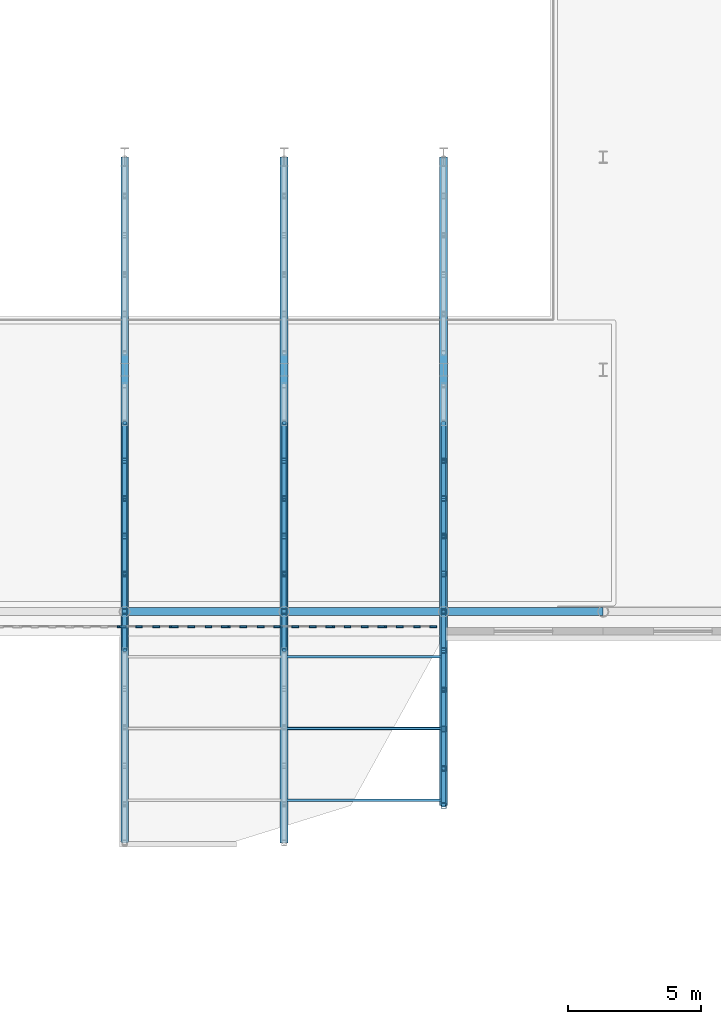
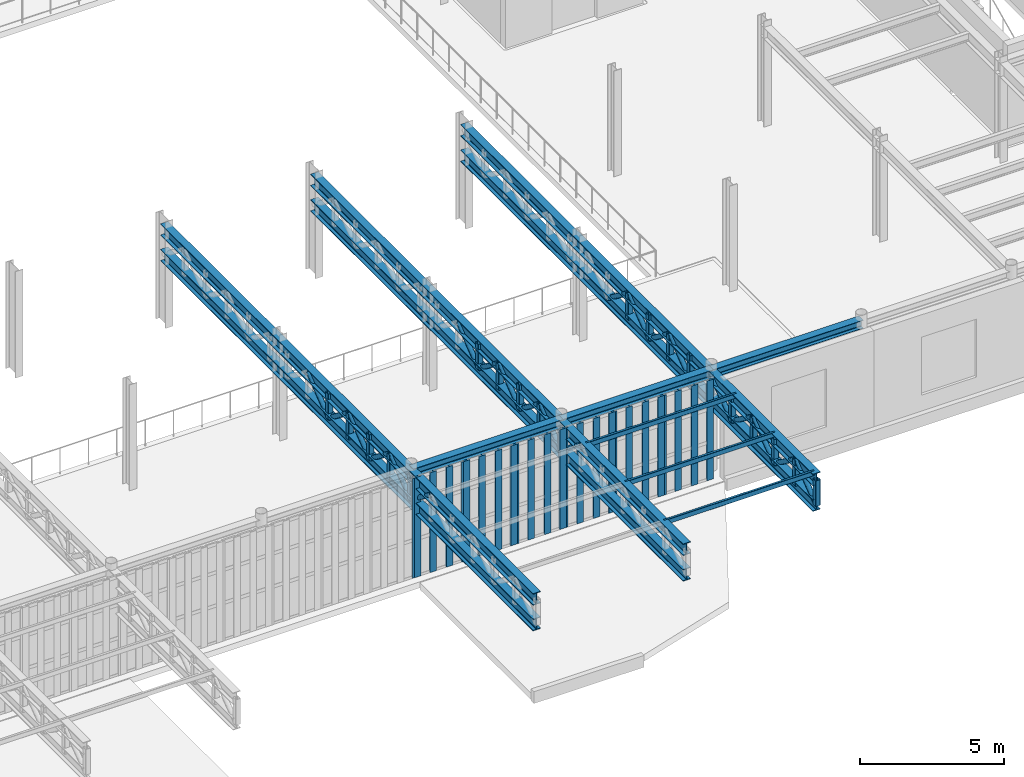
# One storey, part 23 of 91: 76 members, 3 beams, 7 elements without a shape of their own.
"""IFC4 building model written with IfcOpenShell, lengths in metres."""

import ifcopenshell
import ifcopenshell.guid

model = None  # the IFC model being written
_history = None  # IfcOwnerHistory: only IFC2X3 demands one
_inside = {}  # id of a spatial element -> (the spatial element, [elements in it])
_under = {}  # id of a project, library or spatial element -> (it, [spatial elements below it])
_declared = {}  # id of a project -> (the project, [libraries it declares])
_typed = {}  # id of a type object -> (the type object, [elements of that type])
_made_of = {}  # id of a material, layer set ... -> (it, [elements and type objects made of it])


def new_model(schema):
    """Start an empty IFC model of exactly this schema.

    Asked for "IFC4X3", IfcOpenShell would pick the latest addendum, in which some entities
    have other attributes; the version numbers below select the first issue.
    IFC2X3 requires an IfcOwnerHistory on every rooted entity: one is made here for all.
    """
    global model, _history
    if schema == "IFC4X3":
        model = ifcopenshell.file(schema_version=(4, 3, 0, 0))
    else:
        model = ifcopenshell.file(schema=schema)
    _inside.clear()
    _under.clear()
    _declared.clear()
    _typed.clear()
    _made_of.clear()
    _history = None
    if model.schema == "IFC2X3":
        org = make("IfcOrganization", Name="unknown")
        user = make(
            "IfcPersonAndOrganization",
            ThePerson=make("IfcPerson", FamilyName="unknown"),
            TheOrganization=org,
        )
        app = make(
            "IfcApplication",
            ApplicationDeveloper=org,
            Version="unknown",
            ApplicationFullName="unknown",
            ApplicationIdentifier="unknown",
        )
        _history = make(
            "IfcOwnerHistory",
            OwningUser=user,
            OwningApplication=app,
            ChangeAction="ADDED",
            CreationDate=0,
        )
    return model


def make(cls, **values):
    """One entity of the class cls with the attributes given. An attribute that is None is left unset."""
    return model.create_entity(
        cls, **{name: value for name, value in values.items() if value is not None}
    )


def rooted(cls, **values):
    """An entity with a GlobalId (a new one), such as an element, a storey or a relation."""
    return make(cls, GlobalId=ifcopenshell.guid.new(), OwnerHistory=_history, **values)


def si_unit(unit_type, name, prefix=None):
    """IfcSIUnit, for example si_unit("LENGTHUNIT", "METRE", prefix="MILLI")."""
    return make("IfcSIUnit", UnitType=unit_type, Prefix=prefix, Name=name)


def assignment(units):
    """IfcUnitAssignment: the units of a project."""
    return None if units is None else make("IfcUnitAssignment", Units=units)


def point(xyz):
    """IfcCartesianPoint."""
    return None if xyz is None else make("IfcCartesianPoint", Coordinates=xyz)


def direction(xyz):
    """IfcDirection."""
    return None if xyz is None else make("IfcDirection", DirectionRatios=xyz)


def frame(location, z_axis=None, x_axis=None):
    """IfcAxis2Placement3D, a coordinate frame: its origin and axes. An axis left out is left unset."""
    return make(
        "IfcAxis2Placement3D",
        Location=point(location),
        Axis=direction(z_axis),
        RefDirection=direction(x_axis),
    )


def frame_2d(location, x_axis=None):
    """IfcAxis2Placement2D, a coordinate frame in the plane: its origin and x axis."""
    return make(
        "IfcAxis2Placement2D", Location=point(location), RefDirection=direction(x_axis)
    )


def origin():
    """The frame at (0, 0, 0) with its axes left unset."""
    return frame((0.0, 0.0, 0.0))


def origin_2d():
    """The frame at (0, 0) in the plane with its x axis left unset."""
    return frame_2d((0.0, 0.0))


def place(relative_to, where):
    """IfcLocalPlacement: puts the frame where relative to a parent placement (None: the world)."""
    return make(
        "IfcLocalPlacement", PlacementRelTo=relative_to, RelativePlacement=where
    )


def context(
    kind, dimensions, precision=None, world=None, true_north=None, identifier=None
):
    """IfcGeometricRepresentationContext, for example the 3D "Model" context."""
    return make(
        "IfcGeometricRepresentationContext",
        ContextIdentifier=identifier,
        ContextType=kind,
        CoordinateSpaceDimension=dimensions,
        Precision=precision,
        WorldCoordinateSystem=world,
        TrueNorth=true_north,
    )


def subcontext(parent, identifier, kind, view, scale=None):
    """IfcGeometricRepresentationSubContext, for example "Body" below "Model"."""
    return make(
        "IfcGeometricRepresentationSubContext",
        ContextIdentifier=identifier,
        ContextType=kind,
        ParentContext=parent,
        TargetScale=scale,
        TargetView=view,
    )


def project(units=None, contexts=None):
    """IfcProject with its units and contexts."""
    return rooted(
        "IfcProject",
        Name="project",
        RepresentationContexts=contexts,
        UnitsInContext=assignment(units),
    )


def spatial(cls, under=None, at=None, **own):
    """A site, building, storey or space (cls), placed at a placement, below another one or the project."""
    s = rooted(cls, ObjectPlacement=at, **own)
    if under is not None:
        _under.setdefault(under.id(), (under, []))[1].append(s)
    return s


def profile(cls, at=None, kind="AREA", **sizes):
    """A parametric profile (cls). Its sizes go by their IFC names, for example OverallWidth=200.0."""
    return make(cls, ProfileType=kind, Position=at, **sizes)


def rectangle(**sizes):
    """IfcRectangleProfileDef."""
    return profile("IfcRectangleProfileDef", **sizes)


def hollow_rectangle(**sizes):
    """IfcRectangleHollowProfileDef."""
    return profile("IfcRectangleHollowProfileDef", **sizes)


def hollow_circle(**sizes):
    """IfcCircleHollowProfileDef."""
    return profile("IfcCircleHollowProfileDef", **sizes)


def i_section(**sizes):
    """IfcIShapeProfileDef."""
    return profile("IfcIShapeProfileDef", **sizes)


def extrude(swept, where, along, depth):
    """IfcExtrudedAreaSolid: the profile swept, set in the frame where, extruded along a direction by depth."""
    return make(
        "IfcExtrudedAreaSolid",
        SweptArea=swept,
        Position=where,
        ExtrudedDirection=direction(along),
        Depth=depth,
    )


def shape(context_of_items, identifier, shape_type, items):
    """IfcShapeRepresentation: the items that make up one representation, for example the "Body"."""
    return make(
        "IfcShapeRepresentation",
        ContextOfItems=context_of_items,
        RepresentationIdentifier=identifier,
        RepresentationType=shape_type,
        Items=items,
    )


def material(Name=None, Category=None):
    """IfcMaterial."""
    return make("IfcMaterial", Name=Name, Category=Category)


def material_profile(
    of_material, cross_section, Name=None, Category=None, Priority=None
):
    """IfcMaterialProfile: a cross section and its material."""
    return make(
        "IfcMaterialProfile",
        Name=Name,
        Material=of_material,
        Profile=cross_section,
        Priority=Priority,
        Category=Category,
    )


def profile_set(profiles, Name=None, composite=None):
    """IfcMaterialProfileSet."""
    return make(
        "IfcMaterialProfileSet",
        Name=Name,
        MaterialProfiles=profiles,
        CompositeProfile=composite,
    )


def made_of(thing, what):
    """Note that an element or type object is made of a material, layer set ...; save() writes the relation."""
    if what is not None:
        _made_of.setdefault(what.id(), (what, []))[1].append(thing)
    return thing


def type_object(cls, material=None, **own):
    """A type object (cls), such as IfcWallType, which elements share."""
    return made_of(rooted(cls, **own), material)


def element(
    cls,
    number,
    at=None,
    inside=None,
    cuts=None,
    type_object=None,
    material=None,
    context=None,
    identifier="Body",
    shape_type=None,
    held_by="IfcProductDefinitionShape",
    body=None,
    shapes=None,
    **own,
):
    """One element of the class cls, such as IfcWall. Its Tag is "e" and its number.

    at: its placement. inside: the storey or other place that contains it. cuts: it is an
    opening in that element (IfcRelVoidsElement). A single representation is given by context,
    identifier, shape_type and body (its items); several are given by shapes. held_by: the class
    of the entity that holds the representations. save() writes the other relations.
    """
    e = rooted(cls, Tag="e%d" % number, ObjectPlacement=at, **own)
    if body is not None:
        shapes = [shape(context, identifier, shape_type, body)]
    if shapes is not None:
        e.Representation = make(held_by, Representations=shapes)
    if inside is not None:
        _inside.setdefault(inside.id(), (inside, []))[1].append(e)
    if cuts is not None:
        rooted(
            "IfcRelVoidsElement", RelatingBuildingElement=cuts, RelatedOpeningElement=e
        )
    if type_object is not None:
        _typed.setdefault(type_object.id(), (type_object, []))[1].append(e)
    return made_of(e, material)


def aggregate(whole, parts):
    """IfcRelAggregates: a whole, such as a stair, and the parts it consists of."""
    return rooted("IfcRelAggregates", RelatingObject=whole, RelatedObjects=parts)


def save(model, path):
    """Write the relations noted so far, then the file.

    IfcRelAggregates (storeys below a building ...), IfcRelContainedInSpatialStructure (elements
    in a storey), IfcRelDefinesByType, IfcRelAssociatesMaterial and IfcRelDeclares: one each for
    every whole, place, type object, material and project.
    """
    for whole, parts in _under.values():
        aggregate(whole, parts)
    for where, things in _inside.values():
        rooted(
            "IfcRelContainedInSpatialStructure",
            RelatedElements=things,
            RelatingStructure=where,
        )
    for kind, things in _typed.values():
        rooted("IfcRelDefinesByType", RelatedObjects=things, RelatingType=kind)
    for what, things in _made_of.values():
        rooted("IfcRelAssociatesMaterial", RelatedObjects=things, RelatingMaterial=what)
    for by, libraries in _declared.values():
        rooted("IfcRelDeclares", RelatingContext=by, RelatedDefinitions=libraries)
    model.write(path)


model = new_model("IFC4")

# Units and contexts
model_context = context("Model", 3, precision=1e-05, world=origin(), true_north=direction((0.0, 1.0)))
body_context = subcontext(model_context, "Body", "Model", "MODEL_VIEW")
ifc_project = project(units=[si_unit("LENGTHUNIT", "METRE"), si_unit("AREAUNIT", "SQUARE_METRE"), si_unit("VOLUMEUNIT", "CUBIC_METRE"), si_unit("PLANEANGLEUNIT", "RADIAN"), si_unit("MASSUNIT", "GRAM", prefix="KILO")], contexts=[model_context])

# Site, building, storey
site_placement = place(None, origin())
site = spatial("IfcSite", under=ifc_project, at=site_placement, CompositionType="ELEMENT")
building_placement = place(site_placement, origin())
building = spatial("IfcBuilding", under=site, at=building_placement, Name="Kolvaren Corner Interchange", CompositionType="ELEMENT")
storey_placement = place(building_placement, frame((0.0, 0.0, 6.0)))
storey = spatial("IfcBuildingStorey", under=building, at=storey_placement, Name="L02", CompositionType="ELEMENT", Elevation=6.0)

# Beams
ifc_material_1 = material(Name="Steel S355", Category="steel")
ifc_material_profile_1 = material_profile(ifc_material_1, i_section(OverallWidth=0.300048828125, OverallDepth=0.35009765625, WebThickness=0.010009765625, FlangeThickness=0.017578125, FilletRadius=0.027099609375, at=origin_2d()), Name="HEA 360")
ifc_profile_set_1 = profile_set([ifc_material_profile_1], Name="Steel S355")
beam_type = type_object("IfcBeamType", Name="BM-HEA360", PredefinedType="BEAM", material=ifc_profile_set_1)
for number, where, z_axis, x_axis, name in (
    (1, (96.0, 24.89990234375, 4.074951171875), (1.0, 0.0, 0.0), (0.0, 1.0, 0.0), "Storey L02 Grid X Primary Girder 0547"),
    (2, (102.0, 24.89990234375, 4.074951171875), (1.0, 0.0, 0.0), (0.0, 1.0, 0.0), "Storey L02 Grid X Primary Girder 0548"),
    (3, (108.0, 24.89990234375, 4.074951171875), (1.0, 0.0, 0.0), (0.0, 1.0, 0.0), "Storey L02 Grid X Primary Girder 0549"),
):
    element("IfcBeam", number, at=place(storey_placement, frame(where, z_axis=z_axis, x_axis=x_axis)), inside=storey, type_object=beam_type, Name=name, PredefinedType="BEAM", context=body_context, shape_type="SweptSolid", body=[
        extrude(i_section(OverallWidth=0.300048828125, OverallDepth=0.35009765625, WebThickness=0.010009765625, FlangeThickness=0.017578125, FilletRadius=0.027099609375, at=origin_2d()), origin(), (0.0, 0.0, 1.0), 6.0),
    ])

# Members
ifc_material_2 = material(Name="Steel S355", Category="steel")
ifc_material_profile_2 = material_profile(ifc_material_2, hollow_circle(Radius=0.096923828125, WallThickness=0.010009765625, at=origin_2d()), Name="CHS 193.7x10.0")
ifc_profile_set_2 = profile_set([ifc_material_profile_2], Name="Steel S355")
member_type_1 = type_object("IfcMemberType", Name="MEM-BR-CHS194", PredefinedType="BRACE", material=ifc_profile_set_2)
member_1_placement = place(storey_placement, frame((96.0, 23.449951171875, 3.969970703125), z_axis=(0.0, 0.801956396571, -0.59738257256), x_axis=(-1.0, 0.0, 0.0)))
element("IfcMember", 4, at=member_1_placement, inside=storey, type_object=member_type_1, Name="South Portal Cantilever Roof Truss L03 Line 5 Diagonal 06", PredefinedType="BRACE", context=body_context, shape_type="SweptSolid", body=[
    extrude(hollow_circle(Radius=0.096923828125, WallThickness=0.010009765625, at=origin_2d()), origin(), (0.0, 0.0, 1.0), 1.80810546875),
])
member_2_placement = place(storey_placement, frame((96.0, 24.89990234375, 2.889892578125), z_axis=(0.0, 0.795959119821, 0.605350377529), x_axis=(-1.0, 0.0, 0.0)))
element("IfcMember", 5, at=member_2_placement, inside=storey, type_object=member_type_1, Name="South Portal Cantilever Roof Truss L03 Line 5 Diagonal 07", PredefinedType="BRACE", context=body_context, shape_type="SweptSolid", body=[
    extrude(hollow_circle(Radius=0.096923828125, WallThickness=0.010009765625, at=origin_2d()), origin(), (0.0, 0.0, 1.0), 1.7841796875),
])
for number, where, z_axis, x_axis, name in (
    (6, (96.0, 26.320068359375, 3.969970703125), (0.0, 0.795908969203, -0.605416313575), (-1.0, 0.0, 0.0), "South Portal Cantilever Roof Truss L03 Line 5 Diagonal 08"),
    (7, (96.0, 27.739990234375, 2.889892578125), (0.0, 0.795908969203, 0.605416313575), (-1.0, 0.0, 0.0), "South Portal Cantilever Roof Truss L03 Line 5 Diagonal 09"),
):
    element("IfcMember", number, at=place(storey_placement, frame(where, z_axis=z_axis, x_axis=x_axis)), inside=storey, type_object=member_type_1, Name=name, PredefinedType="BRACE", context=body_context, shape_type="SweptSolid", body=[
        extrude(hollow_circle(Radius=0.096923828125, WallThickness=0.010009765625, at=origin_2d()), origin(), (0.0, 0.0, 1.0), 1.783935546875),
    ])
member_3_placement = place(storey_placement, frame((96.0, 29.159912109375, 3.969970703125), z_axis=(0.0, 0.795959119821, -0.605350377529), x_axis=(-1.0, 0.0, 0.0)))
element("IfcMember", 8, at=member_3_placement, inside=storey, type_object=member_type_1, Name="South Portal Cantilever Roof Truss L03 Line 5 Diagonal 10", PredefinedType="BRACE", context=body_context, shape_type="SweptSolid", body=[
    extrude(hollow_circle(Radius=0.096923828125, WallThickness=0.010009765625, at=origin_2d()), origin(), (0.0, 0.0, 1.0), 1.7841796875),
])
member_4_placement = place(storey_placement, frame((96.0, 30.580078125, 2.889892578125), z_axis=(0.0, 0.795908969203, 0.605416313575), x_axis=(-1.0, 0.0, 0.0)))
element("IfcMember", 9, at=member_4_placement, inside=storey, type_object=member_type_1, Name="South Portal Cantilever Roof Truss L03 Line 5 Diagonal 11", PredefinedType="BRACE", context=body_context, shape_type="SweptSolid", body=[
    extrude(hollow_circle(Radius=0.096923828125, WallThickness=0.010009765625, at=origin_2d()), origin(), (0.0, 0.0, 1.0), 1.783935546875),
])
member_5_placement = place(storey_placement, frame((102.0, 23.449951171875, 3.969970703125), z_axis=(0.0, 0.801956396571, -0.59738257256), x_axis=(-1.0, 0.0, 0.0)))
element("IfcMember", 10, at=member_5_placement, inside=storey, type_object=member_type_1, Name="South Portal Cantilever Roof Truss L03 Line 6 Diagonal 06", PredefinedType="BRACE", context=body_context, shape_type="SweptSolid", body=[
    extrude(hollow_circle(Radius=0.096923828125, WallThickness=0.010009765625, at=origin_2d()), origin(), (0.0, 0.0, 1.0), 1.80810546875),
])
member_6_placement = place(storey_placement, frame((102.0, 24.89990234375, 2.889892578125), z_axis=(0.0, 0.795959119821, 0.605350377529), x_axis=(-1.0, 0.0, 0.0)))
element("IfcMember", 11, at=member_6_placement, inside=storey, type_object=member_type_1, Name="South Portal Cantilever Roof Truss L03 Line 6 Diagonal 07", PredefinedType="BRACE", context=body_context, shape_type="SweptSolid", body=[
    extrude(hollow_circle(Radius=0.096923828125, WallThickness=0.010009765625, at=origin_2d()), origin(), (0.0, 0.0, 1.0), 1.7841796875),
])
for number, where, z_axis, x_axis, name in (
    (12, (102.0, 26.320068359375, 3.969970703125), (0.0, 0.795908969203, -0.605416313575), (-1.0, 0.0, 0.0), "South Portal Cantilever Roof Truss L03 Line 6 Diagonal 08"),
    (13, (102.0, 27.739990234375, 2.889892578125), (0.0, 0.795908969203, 0.605416313575), (-1.0, 0.0, 0.0), "South Portal Cantilever Roof Truss L03 Line 6 Diagonal 09"),
):
    element("IfcMember", number, at=place(storey_placement, frame(where, z_axis=z_axis, x_axis=x_axis)), inside=storey, type_object=member_type_1, Name=name, PredefinedType="BRACE", context=body_context, shape_type="SweptSolid", body=[
        extrude(hollow_circle(Radius=0.096923828125, WallThickness=0.010009765625, at=origin_2d()), origin(), (0.0, 0.0, 1.0), 1.783935546875),
    ])
member_7_placement = place(storey_placement, frame((102.0, 29.159912109375, 3.969970703125), z_axis=(0.0, 0.795959119821, -0.605350377529), x_axis=(-1.0, 0.0, 0.0)))
element("IfcMember", 14, at=member_7_placement, inside=storey, type_object=member_type_1, Name="South Portal Cantilever Roof Truss L03 Line 6 Diagonal 10", PredefinedType="BRACE", context=body_context, shape_type="SweptSolid", body=[
    extrude(hollow_circle(Radius=0.096923828125, WallThickness=0.010009765625, at=origin_2d()), origin(), (0.0, 0.0, 1.0), 1.7841796875),
])
member_8_placement = place(storey_placement, frame((102.0, 30.580078125, 2.889892578125), z_axis=(0.0, 0.795908969203, 0.605416313575), x_axis=(-1.0, 0.0, 0.0)))
element("IfcMember", 15, at=member_8_placement, inside=storey, type_object=member_type_1, Name="South Portal Cantilever Roof Truss L03 Line 6 Diagonal 11", PredefinedType="BRACE", context=body_context, shape_type="SweptSolid", body=[
    extrude(hollow_circle(Radius=0.096923828125, WallThickness=0.010009765625, at=origin_2d()), origin(), (0.0, 0.0, 1.0), 1.783935546875),
])
member_9_placement = place(storey_placement, frame((108.0, 17.60009765625, 2.889892578125), z_axis=(0.0, 0.791740279058, 0.610857864415), x_axis=(-1.0, 0.0, 0.0)))
element("IfcMember", 16, at=member_9_placement, inside=storey, type_object=member_type_1, Name="South Portal Cantilever Roof Truss L03 Line 7 Diagonal 01", PredefinedType="BRACE", context=body_context, shape_type="SweptSolid", body=[
    extrude(hollow_circle(Radius=0.096923828125, WallThickness=0.010009765625, at=origin_2d()), origin(), (0.0, 0.0, 1.0), 1.76806640625),
])
for number, where, z_axis, x_axis, name in (
    (17, (108.0, 19.0, 3.969970703125), (0.0, 0.807766939163, -0.589501969458), (-1.0, 0.0, 0.0), "South Portal Cantilever Roof Truss L03 Line 7 Diagonal 02"),
    (18, (108.0, 20.47998046875, 2.889892578125), (0.0, 0.807766939163, 0.589501969458), (-1.0, 0.0, 0.0), "South Portal Cantilever Roof Truss L03 Line 7 Diagonal 03"),
    (19, (108.0, 21.9599609375, 3.969970703125), (0.0, 0.807766939163, -0.589501969458), (-1.0, 0.0, 0.0), "South Portal Cantilever Roof Truss L03 Line 7 Diagonal 04"),
):
    element("IfcMember", number, at=place(storey_placement, frame(where, z_axis=z_axis, x_axis=x_axis)), inside=storey, type_object=member_type_1, Name=name, PredefinedType="BRACE", context=body_context, shape_type="SweptSolid", body=[
        extrude(hollow_circle(Radius=0.096923828125, WallThickness=0.010009765625, at=origin_2d()), origin(), (0.0, 0.0, 1.0), 1.832275390625),
    ])
member_10_placement = place(storey_placement, frame((108.0, 23.43994140625, 2.889892578125), z_axis=(0.0, 0.803919029911, 0.594738760589), x_axis=(-1.0, 0.0, 0.0)))
element("IfcMember", 20, at=member_10_placement, inside=storey, type_object=member_type_1, Name="South Portal Cantilever Roof Truss L03 Line 7 Diagonal 05", PredefinedType="BRACE", context=body_context, shape_type="SweptSolid", body=[
    extrude(hollow_circle(Radius=0.096923828125, WallThickness=0.010009765625, at=origin_2d()), origin(), (0.0, 0.0, 1.0), 1.816162109375),
])
member_11_placement = place(storey_placement, frame((108.0, 24.89990234375, 3.969970703125), z_axis=(0.0, 0.795959119821, -0.605350377529), x_axis=(-1.0, 0.0, 0.0)))
element("IfcMember", 21, at=member_11_placement, inside=storey, type_object=member_type_1, Name="South Portal Cantilever Roof Truss L03 Line 7 Diagonal 06", PredefinedType="BRACE", context=body_context, shape_type="SweptSolid", body=[
    extrude(hollow_circle(Radius=0.096923828125, WallThickness=0.010009765625, at=origin_2d()), origin(), (0.0, 0.0, 1.0), 1.7841796875),
])
for number, where, z_axis, x_axis, name in (
    (22, (108.0, 26.320068359375, 2.889892578125), (0.0, 0.795908969203, 0.605416313575), (-1.0, 0.0, 0.0), "South Portal Cantilever Roof Truss L03 Line 7 Diagonal 07"),
    (23, (108.0, 27.739990234375, 3.969970703125), (0.0, 0.795908969203, -0.605416313575), (-1.0, 0.0, 0.0), "South Portal Cantilever Roof Truss L03 Line 7 Diagonal 08"),
):
    element("IfcMember", number, at=place(storey_placement, frame(where, z_axis=z_axis, x_axis=x_axis)), inside=storey, type_object=member_type_1, Name=name, PredefinedType="BRACE", context=body_context, shape_type="SweptSolid", body=[
        extrude(hollow_circle(Radius=0.096923828125, WallThickness=0.010009765625, at=origin_2d()), origin(), (0.0, 0.0, 1.0), 1.783935546875),
    ])
member_12_placement = place(storey_placement, frame((108.0, 29.159912109375, 2.889892578125), z_axis=(0.0, 0.795959119821, 0.605350377529), x_axis=(-1.0, 0.0, 0.0)))
element("IfcMember", 24, at=member_12_placement, inside=storey, type_object=member_type_1, Name="South Portal Cantilever Roof Truss L03 Line 7 Diagonal 09", PredefinedType="BRACE", context=body_context, shape_type="SweptSolid", body=[
    extrude(hollow_circle(Radius=0.096923828125, WallThickness=0.010009765625, at=origin_2d()), origin(), (0.0, 0.0, 1.0), 1.7841796875),
])
member_13_placement = place(storey_placement, frame((108.0, 30.580078125, 3.969970703125), z_axis=(0.0, 0.795908969203, -0.605416313575), x_axis=(-1.0, 0.0, 0.0)))
element("IfcMember", 25, at=member_13_placement, inside=storey, type_object=member_type_1, Name="South Portal Cantilever Roof Truss L03 Line 7 Diagonal 10", PredefinedType="BRACE", context=body_context, shape_type="SweptSolid", body=[
    extrude(hollow_circle(Radius=0.096923828125, WallThickness=0.010009765625, at=origin_2d()), origin(), (0.0, 0.0, 1.0), 1.783935546875),
])
ifc_material_3 = material(Name="Steel S355", Category="steel")
ifc_material_profile_3 = material_profile(ifc_material_3, i_section(OverallWidth=0.300048828125, OverallDepth=0.5, WebThickness=0.014404296875, FlangeThickness=0.028076171875, FilletRadius=0.027099609375, at=origin_2d()), Name="HEB 500")
ifc_profile_set_3 = profile_set([ifc_material_profile_3], Name="Steel S355")
member_type_2 = type_object("IfcMemberType", Name="MEM-CH-HEB500", PredefinedType="CHORD", material=ifc_profile_set_3)
for number, where, z_axis, x_axis, name in (
    (26, (96.0, 16.199951171875, 3.969970703125), (0.0, 1.0, 0.0), (-1.0, 0.0, 0.0), "South Portal Cantilever Roof Truss L03 Line 5 Top Chord"),
    (27, (96.0, 16.199951171875, 2.889892578125), (0.0, 1.0, 0.0), (-1.0, 0.0, 0.0), "South Portal Cantilever Roof Truss L03 Line 5 Bottom Chord"),
    (28, (102.0, 16.199951171875, 3.969970703125), (0.0, 1.0, 0.0), (-1.0, 0.0, 0.0), "South Portal Cantilever Roof Truss L03 Line 6 Top Chord"),
    (29, (102.0, 16.199951171875, 2.889892578125), (0.0, 1.0, 0.0), (-1.0, 0.0, 0.0), "South Portal Cantilever Roof Truss L03 Line 6 Bottom Chord"),
):
    element("IfcMember", number, at=place(storey_placement, frame(where, z_axis=z_axis, x_axis=x_axis)), inside=storey, type_object=member_type_2, Name=name, PredefinedType="CHORD", context=body_context, shape_type="SweptSolid", body=[
        extrude(i_section(OverallWidth=0.300048828125, OverallDepth=0.5, WebThickness=0.014404296875, FlangeThickness=0.028076171875, FilletRadius=0.027099609375, at=origin_2d()), origin(), (0.0, 0.0, 1.0), 25.800048828125),
    ])
for number, where, z_axis, x_axis, name in (
    (30, (108.0, 17.60009765625, 3.969970703125), (0.0, 1.0, 0.0), (-1.0, 0.0, 0.0), "South Portal Cantilever Roof Truss L03 Line 7 Top Chord"),
    (31, (108.0, 17.60009765625, 2.889892578125), (0.0, 1.0, 0.0), (-1.0, 0.0, 0.0), "South Portal Cantilever Roof Truss L03 Line 7 Bottom Chord"),
):
    element("IfcMember", number, at=place(storey_placement, frame(where, z_axis=z_axis, x_axis=x_axis)), inside=storey, type_object=member_type_2, Name=name, PredefinedType="CHORD", context=body_context, shape_type="SweptSolid", body=[
        extrude(i_section(OverallWidth=0.300048828125, OverallDepth=0.5, WebThickness=0.014404296875, FlangeThickness=0.028076171875, FilletRadius=0.027099609375, at=origin_2d()), origin(), (0.0, 0.0, 1.0), 24.39990234375),
    ])
ifc_material_4 = material(Name="Steel S355", Category="steel")
ifc_material_profile_4 = material_profile(ifc_material_4, hollow_rectangle(XDim=0.10009765625, YDim=0.199951171875, WallThickness=0.008056640625, InnerFilletRadius=0.008056640625, OuterFilletRadius=0.01611328125, at=origin_2d()), Name="RHS 200x100x8.0")
ifc_profile_set_4 = profile_set([ifc_material_profile_4], Name="Steel S355")
member_type_3 = type_object("IfcMemberType", Name="MEM-PR-RHS200", PredefinedType="PURLIN", material=ifc_profile_set_4)
for number, where, z_axis, x_axis, name in (
    (32, (102.0, 17.800048828125, 4.1201171875), (1.0, 0.0, 0.0), (0.0, 1.0, 0.0), "South Portal Cantilever Roof Truss L03 Purlin 1 Bay 102"),
    (33, (102.0, 20.5, 4.1201171875), (1.0, 0.0, 0.0), (0.0, 1.0, 0.0), "South Portal Cantilever Roof Truss L03 Purlin 2 Bay 102"),
    (34, (102.0, 23.199951171875, 4.1201171875), (1.0, 0.0, 0.0), (0.0, 1.0, 0.0), "South Portal Cantilever Roof Truss L03 Purlin 3 Bay 102"),
):
    element("IfcMember", number, at=place(storey_placement, frame(where, z_axis=z_axis, x_axis=x_axis)), inside=storey, type_object=member_type_3, Name=name, PredefinedType="PURLIN", context=body_context, shape_type="SweptSolid", body=[
        extrude(hollow_rectangle(XDim=0.10009765625, YDim=0.199951171875, WallThickness=0.008056640625, InnerFilletRadius=0.008056640625, OuterFilletRadius=0.01611328125, at=origin_2d()), origin(), (0.0, 0.0, 1.0), 6.0),
    ])
ifc_material_5 = material(Name="Steel S355", Category="steel")
ifc_material_profile_5 = material_profile(ifc_material_5, hollow_rectangle(XDim=0.199951171875, YDim=0.199951171875, WallThickness=0.010009765625, InnerFilletRadius=0.010009765625, OuterFilletRadius=0.02001953125, at=origin_2d()), Name="SHS 200x200x10.0")
ifc_profile_set_5 = profile_set([ifc_material_profile_5], Name="Steel S355")
member_type_4 = type_object("IfcMemberType", Name="MEM-PT-SHS200", PredefinedType="POST", material=ifc_profile_set_5)
for number, where, z_axis, x_axis, name in (
    (35, (96.0, 24.89990234375, 2.889892578125), (0.0, 0.0, 1.0), (1.0, 0.0, 0.0), "South Portal Cantilever Roof Truss L03 Line 5 Web Post 07"),
    (36, (96.0, 26.320068359375, 2.889892578125), (0.0, 0.0, 1.0), (1.0, 0.0, 0.0), "South Portal Cantilever Roof Truss L03 Line 5 Web Post 08"),
    (37, (96.0, 27.739990234375, 2.889892578125), (0.0, 0.0, 1.0), (1.0, 0.0, 0.0), "South Portal Cantilever Roof Truss L03 Line 5 Web Post 09"),
    (38, (96.0, 29.159912109375, 2.889892578125), (0.0, 0.0, 1.0), (1.0, 0.0, 0.0), "South Portal Cantilever Roof Truss L03 Line 5 Web Post 10"),
    (39, (96.0, 30.580078125, 2.889892578125), (0.0, 0.0, 1.0), (1.0, 0.0, 0.0), "South Portal Cantilever Roof Truss L03 Line 5 Web Post 11"),
    (40, (102.0, 24.89990234375, 2.889892578125), (0.0, 0.0, 1.0), (1.0, 0.0, 0.0), "South Portal Cantilever Roof Truss L03 Line 6 Web Post 07"),
    (41, (102.0, 26.320068359375, 2.889892578125), (0.0, 0.0, 1.0), (1.0, 0.0, 0.0), "South Portal Cantilever Roof Truss L03 Line 6 Web Post 08"),
    (42, (102.0, 27.739990234375, 2.889892578125), (0.0, 0.0, 1.0), (1.0, 0.0, 0.0), "South Portal Cantilever Roof Truss L03 Line 6 Web Post 09"),
    (43, (102.0, 29.159912109375, 2.889892578125), (0.0, 0.0, 1.0), (1.0, 0.0, 0.0), "South Portal Cantilever Roof Truss L03 Line 6 Web Post 10"),
    (44, (102.0, 30.580078125, 2.889892578125), (0.0, 0.0, 1.0), (1.0, 0.0, 0.0), "South Portal Cantilever Roof Truss L03 Line 6 Web Post 11"),
    (45, (108.0, 17.60009765625, 2.889892578125), (0.0, 0.0, 1.0), (1.0, 0.0, 0.0), "South Portal Cantilever Roof Truss L03 Line 7 Web Post 01"),
    (46, (108.0, 19.0, 2.889892578125), (0.0, 0.0, 1.0), (1.0, 0.0, 0.0), "South Portal Cantilever Roof Truss L03 Line 7 Web Post 02"),
    (47, (108.0, 20.47998046875, 2.889892578125), (0.0, 0.0, 1.0), (1.0, 0.0, 0.0), "South Portal Cantilever Roof Truss L03 Line 7 Web Post 03"),
    (48, (108.0, 21.9599609375, 2.889892578125), (0.0, 0.0, 1.0), (1.0, 0.0, 0.0), "South Portal Cantilever Roof Truss L03 Line 7 Web Post 04"),
    (49, (108.0, 23.43994140625, 2.889892578125), (0.0, 0.0, 1.0), (1.0, 0.0, 0.0), "South Portal Cantilever Roof Truss L03 Line 7 Web Post 05"),
    (50, (108.0, 24.89990234375, 2.889892578125), (0.0, 0.0, 1.0), (1.0, 0.0, 0.0), "South Portal Cantilever Roof Truss L03 Line 7 Web Post 06"),
    (51, (108.0, 26.320068359375, 2.889892578125), (0.0, 0.0, 1.0), (1.0, 0.0, 0.0), "South Portal Cantilever Roof Truss L03 Line 7 Web Post 07"),
    (52, (108.0, 27.739990234375, 2.889892578125), (0.0, 0.0, 1.0), (1.0, 0.0, 0.0), "South Portal Cantilever Roof Truss L03 Line 7 Web Post 08"),
    (53, (108.0, 29.159912109375, 2.889892578125), (0.0, 0.0, 1.0), (1.0, 0.0, 0.0), "South Portal Cantilever Roof Truss L03 Line 7 Web Post 09"),
    (54, (108.0, 30.580078125, 2.889892578125), (0.0, 0.0, 1.0), (1.0, 0.0, 0.0), "South Portal Cantilever Roof Truss L03 Line 7 Web Post 10"),
):
    element("IfcMember", number, at=place(storey_placement, frame(where, z_axis=z_axis, x_axis=x_axis)), inside=storey, type_object=member_type_4, Name=name, PredefinedType="POST", context=body_context, shape_type="SweptSolid", body=[
        extrude(hollow_rectangle(XDim=0.199951171875, YDim=0.199951171875, WallThickness=0.010009765625, InnerFilletRadius=0.010009765625, OuterFilletRadius=0.02001953125, at=origin_2d()), origin(), (0.0, 0.0, 1.0), 1.080078125),
    ])

# Curtain wall, member
ifc_material_6 = material(Name="Unitised Aluminium and Solar-Control Glass Curtain Wall", Category="aluminium")
curtain_wall_type = type_object("IfcCurtainWallType", Name="CW-V1-MEZZ", PredefinedType="NOTDEFINED", material=ifc_material_6)
curtain_wall_1_placement = place(storey_placement, origin())
curtain_wall_1 = element("IfcCurtainWall", 55, at=curtain_wall_1_placement, inside=storey, type_object=curtain_wall_type, Name="South Portal Mezzanine Curtain Wall Bay 12", PredefinedType="NOTDEFINED")
ifc_material_7 = material(Name="Anodised Aluminium Framing", Category="aluminium")
ifc_material_profile_6 = material_profile(ifc_material_7, rectangle(XDim=0.074951171875, YDim=0.260009765625, at=origin_2d()), Name="ALU 75x260")
ifc_profile_set_6 = profile_set([ifc_material_profile_6], Name="Anodised Aluminium Framing")
member_type_5 = type_object("IfcMemberType", Name="MUL-ALU75x260", PredefinedType="MULLION", material=ifc_profile_set_6)
member_14_placement = place(storey_placement, frame((95.845703125, 24.340087890625, 0.0), z_axis=(0.0, 0.0, 1.0), x_axis=(0.0, 1.0, 0.0)))
member_14 = element("IfcMember", 56, at=member_14_placement, type_object=member_type_5, Name="CW-030 mullion 4", PredefinedType="MULLION", context=body_context, shape_type="SweptSolid", body=[
    extrude(rectangle(XDim=0.074951171875, YDim=0.260009765625, at=origin_2d()), origin(), (0.0, 0.0, 1.0), 4.219970703125),
])
aggregate(curtain_wall_1, [member_14])

# Curtain wall, members
curtain_wall_2_placement = place(storey_placement, origin())
curtain_wall_2 = element("IfcCurtainWall", 57, at=curtain_wall_2_placement, inside=storey, type_object=curtain_wall_type, Name="South Portal Mezzanine Curtain Wall Bay 13", PredefinedType="NOTDEFINED")
member_15_placement = place(storey_placement, frame((95.9208984375, 24.340087890625, 0.0), z_axis=(0.0, 0.0, 1.0), x_axis=(0.0, 1.0, 0.0)))
member_15 = element("IfcMember", 58, at=member_15_placement, type_object=member_type_5, Name="CW-031 mullion 1", PredefinedType="MULLION", context=body_context, shape_type="SweptSolid", body=[
    extrude(rectangle(XDim=0.074951171875, YDim=0.260009765625, at=origin_2d()), origin(), (0.0, 0.0, 1.0), 4.219970703125),
])
member_16_placement = place(storey_placement, frame((96.537109375, 24.340087890625, 0.0), z_axis=(0.0, 0.0, 1.0), x_axis=(0.0, 1.0, 0.0)))
member_16 = element("IfcMember", 59, at=member_16_placement, type_object=member_type_5, Name="CW-031 mullion 2", PredefinedType="MULLION", context=body_context, shape_type="SweptSolid", body=[
    extrude(rectangle(XDim=0.074951171875, YDim=0.260009765625, at=origin_2d()), origin(), (0.0, 0.0, 1.0), 4.219970703125),
])
member_17_placement = place(storey_placement, frame((97.190673828125, 24.340087890625, 0.0), z_axis=(0.0, 0.0, 1.0), x_axis=(0.0, 1.0, 0.0)))
member_17 = element("IfcMember", 60, at=member_17_placement, type_object=member_type_5, Name="CW-031 mullion 3", PredefinedType="MULLION", context=body_context, shape_type="SweptSolid", body=[
    extrude(rectangle(XDim=0.074951171875, YDim=0.260009765625, at=origin_2d()), origin(), (0.0, 0.0, 1.0), 4.219970703125),
])
member_18_placement = place(storey_placement, frame((97.806884765625, 24.340087890625, 0.0), z_axis=(0.0, 0.0, 1.0), x_axis=(0.0, 1.0, 0.0)))
member_18 = element("IfcMember", 61, at=member_18_placement, type_object=member_type_5, Name="CW-031 mullion 4", PredefinedType="MULLION", context=body_context, shape_type="SweptSolid", body=[
    extrude(rectangle(XDim=0.074951171875, YDim=0.260009765625, at=origin_2d()), origin(), (0.0, 0.0, 1.0), 4.219970703125),
])
aggregate(curtain_wall_2, [member_15, member_16, member_17, member_18])

curtain_wall_3_placement = place(storey_placement, origin())
curtain_wall_3 = element("IfcCurtainWall", 62, at=curtain_wall_3_placement, inside=storey, type_object=curtain_wall_type, Name="South Portal Mezzanine Curtain Wall Bay 14", PredefinedType="NOTDEFINED")
member_19_placement = place(storey_placement, frame((97.8818359375, 24.340087890625, 0.0), z_axis=(0.0, 0.0, 1.0), x_axis=(0.0, 1.0, 0.0)))
member_19 = element("IfcMember", 63, at=member_19_placement, type_object=member_type_5, Name="CW-032 mullion 1", PredefinedType="MULLION", context=body_context, shape_type="SweptSolid", body=[
    extrude(rectangle(XDim=0.074951171875, YDim=0.260009765625, at=origin_2d()), origin(), (0.0, 0.0, 1.0), 4.219970703125),
])
member_20_placement = place(storey_placement, frame((98.498046875, 24.340087890625, 0.0), z_axis=(0.0, 0.0, 1.0), x_axis=(0.0, 1.0, 0.0)))
member_20 = element("IfcMember", 64, at=member_20_placement, type_object=member_type_5, Name="CW-032 mullion 2", PredefinedType="MULLION", context=body_context, shape_type="SweptSolid", body=[
    extrude(rectangle(XDim=0.074951171875, YDim=0.260009765625, at=origin_2d()), origin(), (0.0, 0.0, 1.0), 4.219970703125),
])
member_21_placement = place(storey_placement, frame((99.15185546875, 24.340087890625, 0.0), z_axis=(0.0, 0.0, 1.0), x_axis=(0.0, 1.0, 0.0)))
member_21 = element("IfcMember", 65, at=member_21_placement, type_object=member_type_5, Name="CW-032 mullion 3", PredefinedType="MULLION", context=body_context, shape_type="SweptSolid", body=[
    extrude(rectangle(XDim=0.074951171875, YDim=0.260009765625, at=origin_2d()), origin(), (0.0, 0.0, 1.0), 4.219970703125),
])
member_22_placement = place(storey_placement, frame((99.76806640625, 24.340087890625, 0.0), z_axis=(0.0, 0.0, 1.0), x_axis=(0.0, 1.0, 0.0)))
member_22 = element("IfcMember", 66, at=member_22_placement, type_object=member_type_5, Name="CW-032 mullion 4", PredefinedType="MULLION", context=body_context, shape_type="SweptSolid", body=[
    extrude(rectangle(XDim=0.074951171875, YDim=0.260009765625, at=origin_2d()), origin(), (0.0, 0.0, 1.0), 4.219970703125),
])
aggregate(curtain_wall_3, [member_19, member_20, member_21, member_22])

curtain_wall_4_placement = place(storey_placement, origin())
curtain_wall_4 = element("IfcCurtainWall", 67, at=curtain_wall_4_placement, inside=storey, type_object=curtain_wall_type, Name="South Portal Mezzanine Curtain Wall Bay 15", PredefinedType="NOTDEFINED")
member_23_placement = place(storey_placement, frame((99.843017578125, 24.340087890625, 0.0), z_axis=(0.0, 0.0, 1.0), x_axis=(0.0, 1.0, 0.0)))
member_23 = element("IfcMember", 68, at=member_23_placement, type_object=member_type_5, Name="CW-033 mullion 1", PredefinedType="MULLION", context=body_context, shape_type="SweptSolid", body=[
    extrude(rectangle(XDim=0.074951171875, YDim=0.260009765625, at=origin_2d()), origin(), (0.0, 0.0, 1.0), 4.219970703125),
])
member_24_placement = place(storey_placement, frame((100.459228515625, 24.340087890625, 0.0), z_axis=(0.0, 0.0, 1.0), x_axis=(0.0, 1.0, 0.0)))
member_24 = element("IfcMember", 69, at=member_24_placement, type_object=member_type_5, Name="CW-033 mullion 2", PredefinedType="MULLION", context=body_context, shape_type="SweptSolid", body=[
    extrude(rectangle(XDim=0.074951171875, YDim=0.260009765625, at=origin_2d()), origin(), (0.0, 0.0, 1.0), 4.219970703125),
])
member_25_placement = place(storey_placement, frame((101.113037109375, 24.340087890625, 0.0), z_axis=(0.0, 0.0, 1.0), x_axis=(0.0, 1.0, 0.0)))
member_25 = element("IfcMember", 70, at=member_25_placement, type_object=member_type_5, Name="CW-033 mullion 3", PredefinedType="MULLION", context=body_context, shape_type="SweptSolid", body=[
    extrude(rectangle(XDim=0.074951171875, YDim=0.260009765625, at=origin_2d()), origin(), (0.0, 0.0, 1.0), 4.219970703125),
])
member_26_placement = place(storey_placement, frame((101.729248046875, 24.340087890625, 0.0), z_axis=(0.0, 0.0, 1.0), x_axis=(0.0, 1.0, 0.0)))
member_26 = element("IfcMember", 71, at=member_26_placement, type_object=member_type_5, Name="CW-033 mullion 4", PredefinedType="MULLION", context=body_context, shape_type="SweptSolid", body=[
    extrude(rectangle(XDim=0.074951171875, YDim=0.260009765625, at=origin_2d()), origin(), (0.0, 0.0, 1.0), 4.219970703125),
])
aggregate(curtain_wall_4, [member_23, member_24, member_25, member_26])

curtain_wall_5_placement = place(storey_placement, origin())
curtain_wall_5 = element("IfcCurtainWall", 72, at=curtain_wall_5_placement, inside=storey, type_object=curtain_wall_type, Name="South Portal Mezzanine Curtain Wall Bay 16", PredefinedType="NOTDEFINED")
member_27_placement = place(storey_placement, frame((101.80419921875, 24.340087890625, 0.0), z_axis=(0.0, 0.0, 1.0), x_axis=(0.0, 1.0, 0.0)))
member_27 = element("IfcMember", 73, at=member_27_placement, type_object=member_type_5, Name="CW-034 mullion 1", PredefinedType="MULLION", context=body_context, shape_type="SweptSolid", body=[
    extrude(rectangle(XDim=0.074951171875, YDim=0.260009765625, at=origin_2d()), origin(), (0.0, 0.0, 1.0), 4.219970703125),
])
member_28_placement = place(storey_placement, frame((102.42041015625, 24.340087890625, 0.0), z_axis=(0.0, 0.0, 1.0), x_axis=(0.0, 1.0, 0.0)))
member_28 = element("IfcMember", 74, at=member_28_placement, type_object=member_type_5, Name="CW-034 mullion 2", PredefinedType="MULLION", context=body_context, shape_type="SweptSolid", body=[
    extrude(rectangle(XDim=0.074951171875, YDim=0.260009765625, at=origin_2d()), origin(), (0.0, 0.0, 1.0), 4.219970703125),
])
member_29_placement = place(storey_placement, frame((103.07421875, 24.340087890625, 0.0), z_axis=(0.0, 0.0, 1.0), x_axis=(0.0, 1.0, 0.0)))
member_29 = element("IfcMember", 75, at=member_29_placement, type_object=member_type_5, Name="CW-034 mullion 3", PredefinedType="MULLION", context=body_context, shape_type="SweptSolid", body=[
    extrude(rectangle(XDim=0.074951171875, YDim=0.260009765625, at=origin_2d()), origin(), (0.0, 0.0, 1.0), 4.219970703125),
])
member_30_placement = place(storey_placement, frame((103.690185546875, 24.340087890625, 0.0), z_axis=(0.0, 0.0, 1.0), x_axis=(0.0, 1.0, 0.0)))
member_30 = element("IfcMember", 76, at=member_30_placement, type_object=member_type_5, Name="CW-034 mullion 4", PredefinedType="MULLION", context=body_context, shape_type="SweptSolid", body=[
    extrude(rectangle(XDim=0.074951171875, YDim=0.260009765625, at=origin_2d()), origin(), (0.0, 0.0, 1.0), 4.219970703125),
])
aggregate(curtain_wall_5, [member_27, member_28, member_29, member_30])

curtain_wall_6_placement = place(storey_placement, origin())
curtain_wall_6 = element("IfcCurtainWall", 77, at=curtain_wall_6_placement, inside=storey, type_object=curtain_wall_type, Name="South Portal Mezzanine Curtain Wall Bay 17", PredefinedType="NOTDEFINED")
member_31_placement = place(storey_placement, frame((103.765380859375, 24.340087890625, 0.0), z_axis=(0.0, 0.0, 1.0), x_axis=(0.0, 1.0, 0.0)))
member_31 = element("IfcMember", 78, at=member_31_placement, type_object=member_type_5, Name="CW-035 mullion 1", PredefinedType="MULLION", context=body_context, shape_type="SweptSolid", body=[
    extrude(rectangle(XDim=0.074951171875, YDim=0.260009765625, at=origin_2d()), origin(), (0.0, 0.0, 1.0), 4.219970703125),
])
member_32_placement = place(storey_placement, frame((104.381591796875, 24.340087890625, 0.0), z_axis=(0.0, 0.0, 1.0), x_axis=(0.0, 1.0, 0.0)))
member_32 = element("IfcMember", 79, at=member_32_placement, type_object=member_type_5, Name="CW-035 mullion 2", PredefinedType="MULLION", context=body_context, shape_type="SweptSolid", body=[
    extrude(rectangle(XDim=0.074951171875, YDim=0.260009765625, at=origin_2d()), origin(), (0.0, 0.0, 1.0), 4.219970703125),
])
member_33_placement = place(storey_placement, frame((105.03515625, 24.340087890625, 0.0), z_axis=(0.0, 0.0, 1.0), x_axis=(0.0, 1.0, 0.0)))
member_33 = element("IfcMember", 80, at=member_33_placement, type_object=member_type_5, Name="CW-035 mullion 3", PredefinedType="MULLION", context=body_context, shape_type="SweptSolid", body=[
    extrude(rectangle(XDim=0.074951171875, YDim=0.260009765625, at=origin_2d()), origin(), (0.0, 0.0, 1.0), 4.219970703125),
])
member_34_placement = place(storey_placement, frame((105.6513671875, 24.340087890625, 0.0), z_axis=(0.0, 0.0, 1.0), x_axis=(0.0, 1.0, 0.0)))
member_34 = element("IfcMember", 81, at=member_34_placement, type_object=member_type_5, Name="CW-035 mullion 4", PredefinedType="MULLION", context=body_context, shape_type="SweptSolid", body=[
    extrude(rectangle(XDim=0.074951171875, YDim=0.260009765625, at=origin_2d()), origin(), (0.0, 0.0, 1.0), 4.219970703125),
])
aggregate(curtain_wall_6, [member_31, member_32, member_33, member_34])

curtain_wall_7_placement = place(storey_placement, origin())
curtain_wall_7 = element("IfcCurtainWall", 82, at=curtain_wall_7_placement, inside=storey, type_object=curtain_wall_type, Name="South Portal Mezzanine Curtain Wall Bay 18", PredefinedType="NOTDEFINED")
member_35_placement = place(storey_placement, frame((105.726318359375, 24.340087890625, 0.0), z_axis=(0.0, 0.0, 1.0), x_axis=(0.0, 1.0, 0.0)))
member_35 = element("IfcMember", 83, at=member_35_placement, type_object=member_type_5, Name="CW-036 mullion 1", PredefinedType="MULLION", context=body_context, shape_type="SweptSolid", body=[
    extrude(rectangle(XDim=0.074951171875, YDim=0.260009765625, at=origin_2d()), origin(), (0.0, 0.0, 1.0), 4.219970703125),
])
member_36_placement = place(storey_placement, frame((106.342529296875, 24.340087890625, 0.0), z_axis=(0.0, 0.0, 1.0), x_axis=(0.0, 1.0, 0.0)))
member_36 = element("IfcMember", 84, at=member_36_placement, type_object=member_type_5, Name="CW-036 mullion 2", PredefinedType="MULLION", context=body_context, shape_type="SweptSolid", body=[
    extrude(rectangle(XDim=0.074951171875, YDim=0.260009765625, at=origin_2d()), origin(), (0.0, 0.0, 1.0), 4.219970703125),
])
member_37_placement = place(storey_placement, frame((106.996337890625, 24.340087890625, 0.0), z_axis=(0.0, 0.0, 1.0), x_axis=(0.0, 1.0, 0.0)))
member_37 = element("IfcMember", 85, at=member_37_placement, type_object=member_type_5, Name="CW-036 mullion 3", PredefinedType="MULLION", context=body_context, shape_type="SweptSolid", body=[
    extrude(rectangle(XDim=0.074951171875, YDim=0.260009765625, at=origin_2d()), origin(), (0.0, 0.0, 1.0), 4.219970703125),
])
member_38_placement = place(storey_placement, frame((107.612548828125, 24.340087890625, 0.0), z_axis=(0.0, 0.0, 1.0), x_axis=(0.0, 1.0, 0.0)))
member_38 = element("IfcMember", 86, at=member_38_placement, type_object=member_type_5, Name="CW-036 mullion 4", PredefinedType="MULLION", context=body_context, shape_type="SweptSolid", body=[
    extrude(rectangle(XDim=0.074951171875, YDim=0.260009765625, at=origin_2d()), origin(), (0.0, 0.0, 1.0), 4.219970703125),
])
aggregate(curtain_wall_7, [member_35, member_36, member_37, member_38])

save(model, "model.ifc")
